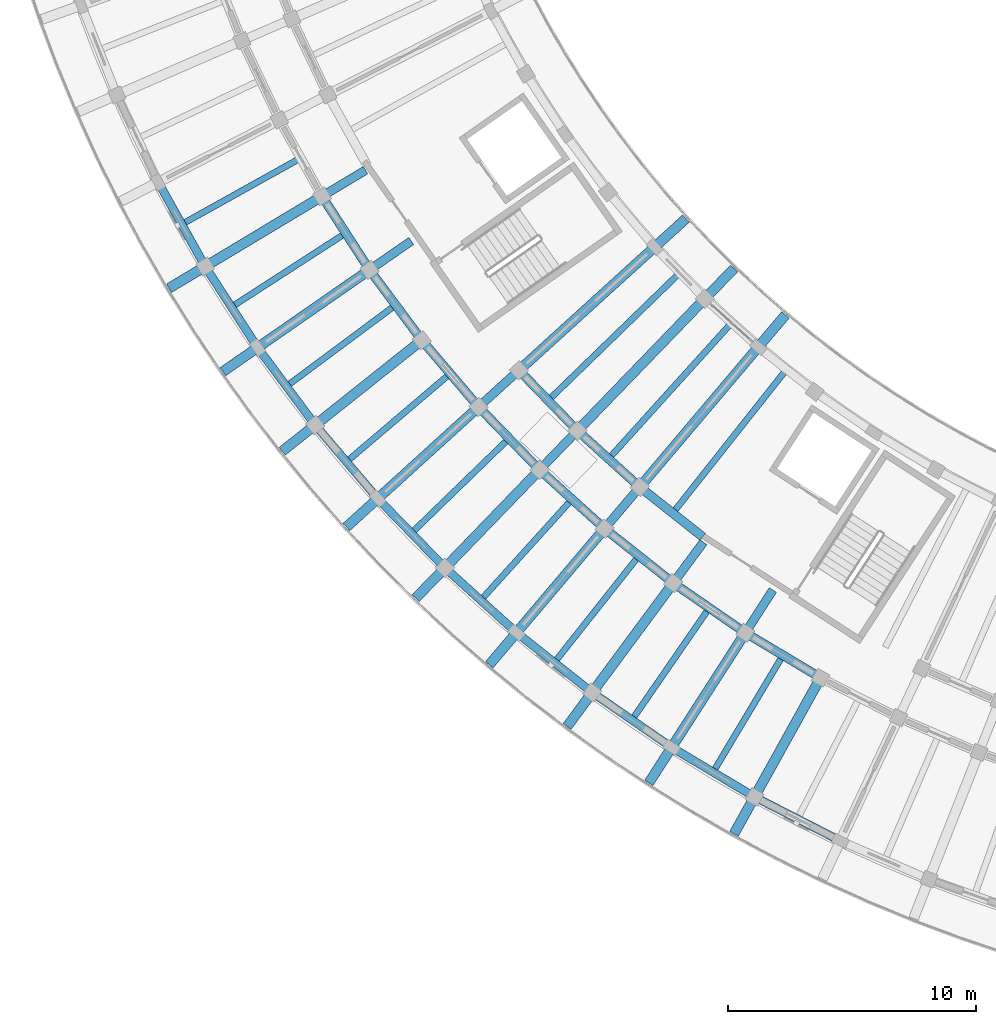
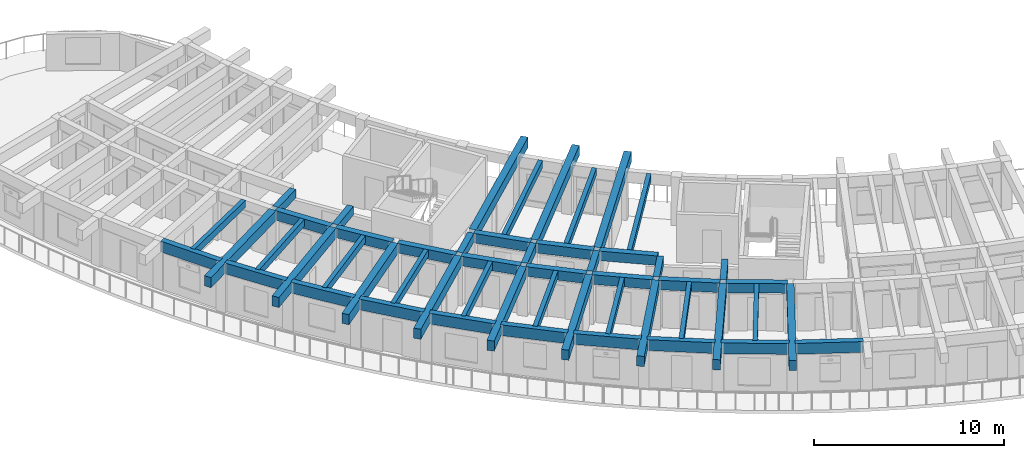
# One storey, part 3 of 69: 52 beams.
"""IFC4 building model written with IfcOpenShell, lengths in metres."""

from ifc_helpers import new_model, si_unit, direction, frame, origin, origin_2d, place, context, subcontext, project, spatial, rectangle, extrude, material, material_profile, profile_set, type_object, element, save


model = new_model("IFC4")

# Units and contexts
model_context = context("Model", 3, precision=1e-05, world=origin(), true_north=direction((0.0, 1.0)))
body_context = subcontext(model_context, "Body", "Model", "MODEL_VIEW")
ifc_project = project(units=[si_unit("LENGTHUNIT", "METRE"), si_unit("AREAUNIT", "SQUARE_METRE"), si_unit("VOLUMEUNIT", "CUBIC_METRE"), si_unit("PLANEANGLEUNIT", "RADIAN"), si_unit("MASSUNIT", "GRAM", prefix="KILO")], contexts=[model_context])

# Site, building, storey
site_placement = place(None, origin())
site = spatial("IfcSite", under=ifc_project, at=site_placement, CompositionType="ELEMENT")
building_placement = place(site_placement, origin())
building = spatial("IfcBuilding", under=site, at=building_placement, Name="Tanwirah Colonnade Gardens", CompositionType="ELEMENT")
storey_placement = place(building_placement, frame((0.0, 0.0, 15.56005859375)))
storey = spatial("IfcBuildingStorey", under=building, at=storey_placement, Name="L04", CompositionType="ELEMENT", Elevation=15.56005859375)

# Beams
ifc_material_1 = material(Name="Precast concrete C40/50", Category="concrete")
ifc_material_profile_1 = material_profile(ifc_material_1, rectangle(XDim=0.360107421875, YDim=0.610107421875, at=origin_2d()), Name="PC-BM 360x610")
ifc_profile_set_1 = profile_set([ifc_material_profile_1], Name="Precast concrete C40/50")
beam_type_1 = type_object("IfcBeamType", Name="BM-PC300", PredefinedType="BEAM", material=ifc_profile_set_1)
beam_1_placement = place(storey_placement, frame((18.75146484375, 36.5361328125, 2.804931640625), z_axis=(0.542825891173, -0.839845254718, 0.0), x_axis=(0.839845254718, 0.542825891173, 0.0)))
element("IfcBeam", 1, at=beam_1_placement, inside=storey, type_object=beam_type_1, Name="Block C L04 Circumferential Beam 4-R2", PredefinedType="BEAM", context=body_context, shape_type="SweptSolid", body=[
    extrude(rectangle(XDim=0.360107421875, YDim=0.610107421875, at=origin_2d()), origin(), (0.0, 0.0, 1.0), 3.23681640625),
])
beam_2_placement = place(storey_placement, frame((20.679443359375, 33.5712890625, 2.804931640625), z_axis=(0.596579473879, -0.802554005252, 0.0), x_axis=(0.802554005252, 0.596579473879, 0.0)))
element("IfcBeam", 2, at=beam_2_placement, inside=storey, type_object=beam_type_1, Name="Block C L04 Circumferential Beam 5-R2", PredefinedType="BEAM", context=body_context, shape_type="SweptSolid", body=[
    extrude(rectangle(XDim=0.360107421875, YDim=0.610107421875, at=origin_2d()), origin(), (0.0, 0.0, 1.0), 3.237060546875),
])
beam_3_placement = place(storey_placement, frame((22.797119140625, 30.73876953125, 2.804931640625), z_axis=(0.6478235549, -0.761790418499, 0.0), x_axis=(0.761790418499, 0.6478235549, 0.0)))
element("IfcBeam", 3, at=beam_3_placement, inside=storey, type_object=beam_type_1, Name="Block C L04 Circumferential Beam 6-R2", PredefinedType="BEAM", context=body_context, shape_type="SweptSolid", body=[
    extrude(rectangle(XDim=0.360107421875, YDim=0.610107421875, at=origin_2d()), origin(), (0.0, 0.0, 1.0), 3.23681640625),
])
beam_4_placement = place(storey_placement, frame((26.72412109375, 29.530029296875, 2.804931640625), z_axis=(0.696209937932, -0.71783822852, 0.0), x_axis=(0.71783822852, 0.696209937932, 0.0)))
element("IfcBeam", 4, at=beam_4_placement, inside=storey, type_object=beam_type_1, Name="Block C L04 Circumferential Beam 7-R1", PredefinedType="BEAM", context=body_context, shape_type="SweptSolid", body=[
    extrude(rectangle(XDim=0.360107421875, YDim=0.610107421875, at=origin_2d()), origin(), (0.0, 0.0, 1.0), 3.093017578125),
])
beam_5_placement = place(storey_placement, frame((25.095703125, 28.05078125, 2.804931640625), z_axis=(0.696238887656, -0.717810149911, 0.0), x_axis=(0.717810149911, 0.696238887656, 0.0)))
element("IfcBeam", 5, at=beam_5_placement, inside=storey, type_object=beam_type_1, Name="Block C L04 Circumferential Beam 7-R2", PredefinedType="BEAM", context=body_context, shape_type="SweptSolid", body=[
    extrude(rectangle(XDim=0.360107421875, YDim=0.610107421875, at=origin_2d()), origin(), (0.0, 0.0, 1.0), 3.23681640625),
])
beam_6_placement = place(storey_placement, frame((29.09326171875, 27.1015625, 2.804931640625), z_axis=(0.741698455559, -0.670733479873, 0.0), x_axis=(0.670733479873, 0.741698455559, 0.0)))
element("IfcBeam", 6, at=beam_6_placement, inside=storey, type_object=beam_type_1, Name="Block C L04 Circumferential Beam 8-R1", PredefinedType="BEAM", context=body_context, shape_type="SweptSolid", body=[
    extrude(rectangle(XDim=0.360107421875, YDim=0.610107421875, at=origin_2d()), origin(), (0.0, 0.0, 1.0), 3.0927734375),
])
beam_7_placement = place(storey_placement, frame((27.56494140625, 25.51904296875, 2.804931640625), z_axis=(0.741701929733, -0.670729638104, 0.0), x_axis=(0.670729638104, 0.741701929733, 0.0)))
element("IfcBeam", 7, at=beam_7_placement, inside=storey, type_object=beam_type_1, Name="Block C L04 Circumferential Beam 8-R2", PredefinedType="BEAM", context=body_context, shape_type="SweptSolid", body=[
    extrude(rectangle(XDim=0.360107421875, YDim=0.610107421875, at=origin_2d()), origin(), (0.0, 0.0, 1.0), 3.237060546875),
])
beam_8_placement = place(storey_placement, frame((31.615966796875, 24.833251953125, 2.804931640625), z_axis=(0.783962588163, -0.62080807047, 0.0), x_axis=(0.62080807047, 0.783962588163, 0.0)))
element("IfcBeam", 8, at=beam_8_placement, inside=storey, type_object=beam_type_1, Name="Block C L04 Circumferential Beam 9-R1", PredefinedType="BEAM", context=body_context, shape_type="SweptSolid", body=[
    extrude(rectangle(XDim=0.360107421875, YDim=0.610107421875, at=origin_2d()), origin(), (0.0, 0.0, 1.0), 3.093017578125),
])
beam_9_placement = place(storey_placement, frame((30.194580078125, 23.154052734375, 2.804931640625), z_axis=(0.783993819374, -0.620768629349, 0.0), x_axis=(0.620768629349, 0.783993819374, 0.0)))
element("IfcBeam", 9, at=beam_9_placement, inside=storey, type_object=beam_type_1, Name="Block C L04 Circumferential Beam 9-R2", PredefinedType="BEAM", context=body_context, shape_type="SweptSolid", body=[
    extrude(rectangle(XDim=0.360107421875, YDim=0.610107421875, at=origin_2d()), origin(), (0.0, 0.0, 1.0), 3.23681640625),
])
beam_10_placement = place(storey_placement, frame((32.97314453125, 20.96630859375, 2.804931640625), z_axis=(0.822889344221, -0.568201660651, 0.0), x_axis=(0.568201660651, 0.822889344221, 0.0)))
element("IfcBeam", 10, at=beam_10_placement, inside=storey, type_object=beam_type_1, Name="Block C L04 Circumferential Beam 10-R2", PredefinedType="BEAM", context=body_context, shape_type="SweptSolid", body=[
    extrude(rectangle(XDim=0.360107421875, YDim=0.610107421875, at=origin_2d()), origin(), (0.0, 0.0, 1.0), 3.237060546875),
])
beam_11_placement = place(storey_placement, frame((35.88916015625, 18.96484375, 2.804931640625), z_axis=(0.858270604513, -0.513197398111, 0.0), x_axis=(0.513197398111, 0.858270604513, 0.0)))
element("IfcBeam", 11, at=beam_11_placement, inside=storey, type_object=beam_type_1, Name="Block C L04 Circumferential Beam 11-R2", PredefinedType="BEAM", context=body_context, shape_type="SweptSolid", body=[
    extrude(rectangle(XDim=0.360107421875, YDim=0.610107421875, at=origin_2d()), origin(), (0.0, 0.0, 1.0), 3.23681640625),
])
ifc_material_profile_2 = material_profile(ifc_material_1, rectangle(XDim=0.35009765625, YDim=0.550048828125, at=origin_2d()), Name="PC-BM 350x550")
ifc_profile_set_2 = profile_set([ifc_material_profile_2], Name="Precast concrete C40/50")
beam_type_2 = type_object("IfcBeamType", Name="BM-PC350A", PredefinedType="BEAM", material=ifc_profile_set_2)
beam_12_placement = place(storey_placement, frame((20.42724609375, 37.718017578125, 2.8349609375), z_axis=(-0.857186654737, -0.515005863017, 0.0), x_axis=(0.515005863017, -0.857186654737, 0.0)))
element("IfcBeam", 12, at=beam_12_placement, inside=storey, type_object=beam_type_2, Name="Block C L04 Corridor Tie Beam 4", PredefinedType="BEAM", context=body_context, shape_type="SweptSolid", body=[
    extrude(rectangle(XDim=0.35009765625, YDim=0.550048828125, at=origin_2d()), origin(), (0.0, 0.0, 1.0), 1.89990234375),
])
beam_13_placement = place(storey_placement, frame((22.2744140625, 34.860107421875, 2.8349609375), z_axis=(-0.821669163201, -0.569964723684, 0.0), x_axis=(0.569964723684, -0.821669163201, 0.0)))
element("IfcBeam", 13, at=beam_13_placement, inside=storey, type_object=beam_type_2, Name="Block C L04 Corridor Tie Beam 5", PredefinedType="BEAM", context=body_context, shape_type="SweptSolid", body=[
    extrude(rectangle(XDim=0.35009765625, YDim=0.550048828125, at=origin_2d()), origin(), (0.0, 0.0, 1.0), 1.900146484375),
])
beam_14_placement = place(storey_placement, frame((26.508544921875, 29.536865234375, 2.8349609375), z_axis=(-0.740219127015, -0.672365707038, 0.0), x_axis=(0.672365707038, -0.740219127015, 0.0)))
element("IfcBeam", 14, at=beam_14_placement, inside=storey, type_object=beam_type_2, Name="Block C L04 Corridor Tie Beam 7", PredefinedType="BEAM", context=body_context, shape_type="SweptSolid", body=[
    extrude(rectangle(XDim=0.35009765625, YDim=0.550048828125, at=origin_2d()), origin(), (0.0, 0.0, 1.0), 1.899658203125),
])
beam_15_placement = place(storey_placement, frame((28.877685546875, 27.09423828125, 2.8349609375), z_axis=(-0.694663306685, -0.719335033448, 0.0), x_axis=(0.719335033448, -0.694663306685, 0.0)))
element("IfcBeam", 15, at=beam_15_placement, inside=storey, type_object=beam_type_2, Name="Block C L04 Corridor Tie Beam 8", PredefinedType="BEAM", context=body_context, shape_type="SweptSolid", body=[
    extrude(rectangle(XDim=0.35009765625, YDim=0.550048828125, at=origin_2d()), origin(), (0.0, 0.0, 1.0), 1.89990234375),
])
for number, where, z_axis, x_axis, name in (
    (16, (31.401611328125, 24.81201171875, 2.8349609375), (-0.646155325581, -0.763205932382, 0.0), (0.763205932382, -0.646155325581, 0.0), "Block C L04 Corridor Tie Beam 9"),
    (17, (34.0693359375, 22.699462890625, 2.8349609375), (-0.594889497099, -0.803807493273, 0.0), (0.803807493273, -0.594889497099, 0.0), "Block C L04 Corridor Tie Beam 10"),
):
    element("IfcBeam", number, at=place(storey_placement, frame(where, z_axis=z_axis, x_axis=x_axis)), inside=storey, type_object=beam_type_2, Name=name, PredefinedType="BEAM", context=body_context, shape_type="SweptSolid", body=[
        extrude(rectangle(XDim=0.35009765625, YDim=0.550048828125, at=origin_2d()), origin(), (0.0, 0.0, 1.0), 1.900146484375),
    ])
beam_16_placement = place(storey_placement, frame((36.869384765625, 20.765869140625, 2.8349609375), z_axis=(-0.540984881989, -0.841032316537, 0.0), x_axis=(0.841032316537, -0.540984881989, 0.0)))
element("IfcBeam", 18, at=beam_16_placement, inside=storey, type_object=beam_type_2, Name="Block C L04 Corridor Tie Beam 11", PredefinedType="BEAM", context=body_context, shape_type="SweptSolid", body=[
    extrude(rectangle(XDim=0.35009765625, YDim=0.550048828125, at=origin_2d()), origin(), (0.0, 0.0, 1.0), 1.89990234375),
])
ifc_material_2 = material(Name="Precast concrete C45/55", Category="concrete")
ifc_material_profile_3 = material_profile(ifc_material_2, rectangle(XDim=0.39990234375, YDim=0.64990234375, at=origin_2d()), Name="PC-BM 400x650")
ifc_profile_set_3 = profile_set([ifc_material_profile_3], Name="Precast concrete C45/55")
beam_type_3 = type_object("IfcBeamType", Name="BM-PC400", PredefinedType="BEAM", material=ifc_profile_set_3)
for number, where, z_axis, x_axis, name in (
    (19, (18.54150390625, 36.5849609375, 2.784912109375), (-0.857159687729, -0.515050744812, 0.0), (0.515050744812, -0.857159687729, 0.0), "Block C L04 Outer Radial Precast Girder 4"),
    (20, (20.466796875, 33.606201171875, 2.784912109375), (-0.821647028495, -0.569996632066, 0.0), (0.569996632066, -0.821647028495, 0.0), "Block C L04 Outer Radial Precast Girder 5"),
):
    element("IfcBeam", number, at=place(storey_placement, frame(where, z_axis=z_axis, x_axis=x_axis)), inside=storey, type_object=beam_type_3, Name=name, PredefinedType="BEAM", context=body_context, shape_type="SweptSolid", body=[
        extrude(rectangle(XDim=0.39990234375, YDim=0.64990234375, at=origin_2d()), origin(), (0.0, 0.0, 1.0), 7.050048828125),
    ])
beam_17_placement = place(storey_placement, frame((22.58251953125, 30.759765625, 2.784912109375), z_axis=(-0.782609106384, -0.622513442911, 0.0), x_axis=(0.622513442911, -0.782609106384, 0.0)))
element("IfcBeam", 21, at=beam_17_placement, inside=storey, type_object=beam_type_3, Name="Block C L04 Outer Radial Precast Girder 6", PredefinedType="BEAM", context=body_context, shape_type="SweptSolid", body=[
    extrude(rectangle(XDim=0.39990234375, YDim=0.64990234375, at=origin_2d()), origin(), (0.0, 0.0, 1.0), 7.0498046875),
])
beam_18_placement = place(storey_placement, frame((26.730712890625, 29.738525390625, 2.784912109375), z_axis=(0.740212791446, 0.672372681911, 0.0), x_axis=(-0.672372681911, 0.740212791446, 0.0)))
element("IfcBeam", 22, at=beam_18_placement, inside=storey, type_object=beam_type_3, Name="Block C L04 Inner Radial Precast Girder 7", PredefinedType="BEAM", context=body_context, shape_type="SweptSolid", body=[
    extrude(rectangle(XDim=0.39990234375, YDim=0.64990234375, at=origin_2d()), origin(), (0.0, 0.0, 1.0), 8.9501953125),
])
beam_19_placement = place(storey_placement, frame((24.880126953125, 28.0576171875, 2.784912109375), z_axis=(-0.740229899169, -0.672353847596, 0.0), x_axis=(0.672353847596, -0.740229899169, 0.0)))
element("IfcBeam", 23, at=beam_19_placement, inside=storey, type_object=beam_type_3, Name="Block C L04 Outer Radial Precast Girder 7", PredefinedType="BEAM", context=body_context, shape_type="SweptSolid", body=[
    extrude(rectangle(XDim=0.39990234375, YDim=0.64990234375, at=origin_2d()), origin(), (0.0, 0.0, 1.0), 7.0498046875),
])
beam_20_placement = place(storey_placement, frame((29.086181640625, 27.31005859375, 2.784912109375), z_axis=(0.694655848402, 0.719342235852, 0.0), x_axis=(-0.719342235852, 0.694655848402, 0.0)))
element("IfcBeam", 24, at=beam_20_placement, inside=storey, type_object=beam_type_3, Name="Block C L04 Inner Radial Precast Girder 8", PredefinedType="BEAM", context=body_context, shape_type="SweptSolid", body=[
    extrude(rectangle(XDim=0.39990234375, YDim=0.64990234375, at=origin_2d()), origin(), (0.0, 0.0, 1.0), 8.9501953125),
])
beam_21_placement = place(storey_placement, frame((27.349609375, 25.51171875, 2.784912109375), z_axis=(-0.69467114255, -0.719327466254, 0.0), x_axis=(0.719327466254, -0.69467114255, 0.0)))
element("IfcBeam", 25, at=beam_21_placement, inside=storey, type_object=beam_type_3, Name="Block C L04 Outer Radial Precast Girder 8", PredefinedType="BEAM", context=body_context, shape_type="SweptSolid", body=[
    extrude(rectangle(XDim=0.39990234375, YDim=0.64990234375, at=origin_2d()), origin(), (0.0, 0.0, 1.0), 7.050048828125),
])
beam_22_placement = place(storey_placement, frame((31.595458984375, 25.040771484375, 2.784912109375), z_axis=(0.64611097415, 0.763243479554, 0.0), x_axis=(-0.763243479554, 0.64611097415, 0.0)))
element("IfcBeam", 26, at=beam_22_placement, inside=storey, type_object=beam_type_3, Name="Block C L04 Inner Radial Precast Girder 9", PredefinedType="BEAM", context=body_context, shape_type="SweptSolid", body=[
    extrude(rectangle(XDim=0.39990234375, YDim=0.64990234375, at=origin_2d()), origin(), (0.0, 0.0, 1.0), 8.949951171875),
])
for number, where, z_axis, x_axis, name in (
    (27, (29.97998046875, 23.1328125, 2.784912109375), (-0.646119193339, -0.763236521663, 0.0), (0.763236521663, -0.646119193339, 0.0), "Block C L04 Outer Radial Precast Girder 9"),
    (28, (32.760498046875, 20.930908203125, 2.784912109375), (-0.594806754627, -0.803868723518, 0.0), (0.803868723518, -0.594806754627, 0.0), "Block C L04 Outer Radial Precast Girder 10"),
    (29, (35.67919921875, 18.915771484375, 2.784912109375), (-0.540976349149, -0.841037805132, 0.0), (0.841037805132, -0.540976349149, 0.0), "Block C L04 Outer Radial Precast Girder 11"),
):
    element("IfcBeam", number, at=place(storey_placement, frame(where, z_axis=z_axis, x_axis=x_axis)), inside=storey, type_object=beam_type_3, Name=name, PredefinedType="BEAM", context=body_context, shape_type="SweptSolid", body=[
        extrude(rectangle(XDim=0.39990234375, YDim=0.64990234375, at=origin_2d()), origin(), (0.0, 0.0, 1.0), 7.050048828125),
    ])
beam_23_placement = place(storey_placement, frame((38.723388671875, 17.095703125, 2.784912109375), z_axis=(-0.484804753745, -0.874622404667, 0.0), x_axis=(0.874622404667, -0.484804753745, 0.0)))
element("IfcBeam", 30, at=beam_23_placement, inside=storey, type_object=beam_type_3, Name="Block C L04 Outer Radial Precast Girder 12", PredefinedType="BEAM", context=body_context, shape_type="SweptSolid", body=[
    extrude(rectangle(XDim=0.39990234375, YDim=0.64990234375, at=origin_2d()), origin(), (0.0, 0.0, 1.0), 7.05029296875),
])
ifc_material_profile_4 = material_profile(ifc_material_1, rectangle(XDim=0.25, YDim=0.449951171875, at=origin_2d()), Name="PC-JST 250x450")
ifc_profile_set_4 = profile_set([ifc_material_profile_4], Name="Precast concrete C40/50")
beam_type_4 = type_object("IfcBeamType", Name="JST-PC250", PredefinedType="JOIST", material=ifc_profile_set_4)
for number, where, z_axis, x_axis, name in (
    (31, (17.67919921875, 38.134521484375, 2.885009765625), (-0.87356769437, -0.486702664214, 0.0), (0.486702664214, -0.87356769437, 0.0), "Block C L04 Precast Floor Joist 3"),
    (32, (19.5048828125, 35.09619140625, 2.885009765625), (-0.839842770955, -0.542829733963, 0.0), (0.542829733963, -0.839842770955, 0.0), "Block C L04 Precast Floor Joist 4"),
    (33, (21.525390625, 32.18359375, 2.885009765625), (-0.802560347737, -0.596570941499, 0.0), (0.596570941499, -0.802560347737, 0.0), "Block C L04 Precast Floor Joist 5"),
    (34, (23.732177734375, 29.409423828125, 2.885009765625), (-0.761803021124, -0.647808734895, 0.0), (0.647808734895, -0.761803021124, 0.0), "Block C L04 Precast Floor Joist 6"),
    (35, (26.115478515625, 26.785400390625, 2.885009765625), (-0.717816036263, -0.696232818878, 0.0), (0.696232818878, -0.717816036263, 0.0), "Block C L04 Precast Floor Joist 7"),
):
    element("IfcBeam", number, at=place(storey_placement, frame(where, z_axis=z_axis, x_axis=x_axis)), inside=storey, type_object=beam_type_4, Name=name, PredefinedType="JOIST", context=body_context, shape_type="SweptSolid", body=[
        extrude(rectangle(XDim=0.25, YDim=0.449951171875, at=origin_2d()), origin(), (0.0, 0.0, 1.0), 5.260009765625),
    ])
beam_24_placement = place(storey_placement, frame((33.006591796875, 33.46923828125, 2.885009765625), z_axis=(-0.717816218075, -0.69623263143, 0.0), x_axis=(0.69623263143, -0.717816218075, 0.0)))
element("IfcBeam", 36, at=beam_24_placement, inside=storey, type_object=beam_type_4, Name="Block C L04 Inner Precast Floor Joist 7", PredefinedType="JOIST", context=body_context, shape_type="SweptSolid", body=[
    extrude(rectangle(XDim=0.25, YDim=0.449951171875, at=origin_2d()), origin(), (0.0, 0.0, 1.0), 7.16015625),
])
beam_25_placement = place(storey_placement, frame((28.66552734375, 24.322998046875, 2.885009765625), z_axis=(-0.670780841255, -0.741655622918, 0.0), x_axis=(0.741655622918, -0.670780841255, 0.0)))
element("IfcBeam", 37, at=beam_25_placement, inside=storey, type_object=beam_type_4, Name="Block C L04 Precast Floor Joist 8", PredefinedType="JOIST", context=body_context, shape_type="SweptSolid", body=[
    extrude(rectangle(XDim=0.25, YDim=0.449951171875, at=origin_2d()), origin(), (0.0, 0.0, 1.0), 5.260009765625),
])
beam_26_placement = place(storey_placement, frame((35.104736328125, 31.443115234375, 2.885009765625), z_axis=(-0.670773136608, -0.741662591214, 0.0), x_axis=(0.741662591214, -0.670773136608, 0.0)))
element("IfcBeam", 38, at=beam_26_placement, inside=storey, type_object=beam_type_4, Name="Block C L04 Inner Precast Floor Joist 8", PredefinedType="JOIST", context=body_context, shape_type="SweptSolid", body=[
    extrude(rectangle(XDim=0.25, YDim=0.449951171875, at=origin_2d()), origin(), (0.0, 0.0, 1.0), 7.159912109375),
])
beam_27_placement = place(storey_placement, frame((31.370849609375, 22.03271484375, 2.885009765625), z_axis=(-0.620787347885, -0.783978997617, 0.0), x_axis=(0.783978997617, -0.620787347885, 0.0)))
element("IfcBeam", 39, at=beam_27_placement, inside=storey, type_object=beam_type_4, Name="Block C L04 Precast Floor Joist 9", PredefinedType="JOIST", context=body_context, shape_type="SweptSolid", body=[
    extrude(rectangle(XDim=0.25, YDim=0.449951171875, at=origin_2d()), origin(), (0.0, 0.0, 1.0), 5.260009765625),
])
beam_28_placement = place(storey_placement, frame((37.33056640625, 29.55859375, 2.885009765625), z_axis=(-0.620803379809, -0.783966302603, 0.0), x_axis=(0.783966302603, -0.620803379809, 0.0)))
element("IfcBeam", 40, at=beam_28_placement, inside=storey, type_object=beam_type_4, Name="Block C L04 Inner Precast Floor Joist 9", PredefinedType="JOIST", context=body_context, shape_type="SweptSolid", body=[
    extrude(rectangle(XDim=0.25, YDim=0.449951171875, at=origin_2d()), origin(), (0.0, 0.0, 1.0), 7.159912109375),
])
for number, where, z_axis, x_axis, name in (
    (41, (34.220458984375, 19.924072265625, 2.885009765625), (-0.56820792868, -0.822885016138, 0.0), (0.822885016138, -0.56820792868, 0.0), "Block C L04 Precast Floor Joist 10"),
    (42, (37.20166015625, 18.006591796875, 2.885009765625), (-0.513157303227, -0.858294577721, 0.0), (0.858294577721, -0.513157303227, 0.0), "Block C L04 Precast Floor Joist 11"),
):
    element("IfcBeam", number, at=place(storey_placement, frame(where, z_axis=z_axis, x_axis=x_axis)), inside=storey, type_object=beam_type_4, Name=name, PredefinedType="JOIST", context=body_context, shape_type="SweptSolid", body=[
        extrude(rectangle(XDim=0.25, YDim=0.449951171875, at=origin_2d()), origin(), (0.0, 0.0, 1.0), 5.260009765625),
    ])
ifc_material_profile_5 = material_profile(ifc_material_1, rectangle(XDim=0.330078125, YDim=0.68994140625, at=origin_2d()), Name="PC-SP 330x690")
ifc_profile_set_5 = profile_set([ifc_material_profile_5], Name="Precast concrete C40/50")
beam_type_5 = type_object("IfcBeamType", Name="SP-PC280", PredefinedType="SPANDREL", material=ifc_profile_set_5)
beam_29_placement = place(storey_placement, frame((12.132080078125, 37.1025390625, 2.764892578125), z_axis=(0.486679958674, -0.87358034423, 0.0), x_axis=(0.87358034423, 0.486679958674, 0.0)))
element("IfcBeam", 43, at=beam_29_placement, inside=storey, type_object=beam_type_5, Name="Block C L04 Circumferential Beam 3-R3", PredefinedType="SPANDREL", context=body_context, shape_type="SweptSolid", body=[
    extrude(rectangle(XDim=0.330078125, YDim=0.68994140625, at=origin_2d()), origin(), (0.0, 0.0, 1.0), 3.5966796875),
])
for number, where, z_axis, x_axis, name in (
    (44, (14.037109375, 33.70361328125, 2.764892578125), (0.542786838894, -0.839870494495, 0.0), (0.839870494495, 0.542786838894, 0.0), "Block C L04 Circumferential Beam 4-R3"),
    (45, (16.160400390625, 30.436279296875, 2.764892578125), (0.596562665898, -0.802566499212, 0.0), (0.802566499212, 0.596562665898, 0.0), "Block C L04 Circumferential Beam 5-R3"),
):
    element("IfcBeam", number, at=place(storey_placement, frame(where, z_axis=z_axis, x_axis=x_axis)), inside=storey, type_object=beam_type_5, Name=name, PredefinedType="SPANDREL", context=body_context, shape_type="SweptSolid", body=[
        extrude(rectangle(XDim=0.330078125, YDim=0.68994140625, at=origin_2d()), origin(), (0.0, 0.0, 1.0), 3.596923828125),
    ])
for number, where, z_axis, x_axis, name in (
    (46, (18.492919921875, 27.31494140625, 2.764892578125), (0.647784367984, -0.76182374116, 0.0), (0.76182374116, 0.647784367984, 0.0), "Block C L04 Circumferential Beam 6-R3"),
    (47, (21.0244140625, 24.352783203125, 2.764892578125), (0.696231699401, -0.717817122079, 0.0), (0.717817122079, 0.696231699401, 0.0), "Block C L04 Circumferential Beam 7-R3"),
):
    element("IfcBeam", number, at=place(storey_placement, frame(where, z_axis=z_axis, x_axis=x_axis)), inside=storey, type_object=beam_type_5, Name=name, PredefinedType="SPANDREL", context=body_context, shape_type="SweptSolid", body=[
        extrude(rectangle(XDim=0.330078125, YDim=0.68994140625, at=origin_2d()), origin(), (0.0, 0.0, 1.0), 3.5966796875),
    ])
for number, where, z_axis, x_axis, name in (
    (48, (23.744384765625, 21.562744140625, 2.764892578125), (0.741682092868, -0.670751573325, 0.0), (0.670751573325, 0.741682092868, 0.0), "Block C L04 Circumferential Beam 8-R3"),
    (49, (26.640869140625, 18.956298828125, 2.764892578125), (0.783971495357, -0.620796822211, 0.0), (0.620796822211, 0.783971495357, 0.0), "Block C L04 Circumferential Beam 9-R3"),
    (50, (29.70166015625, 16.545166015625, 2.764892578125), (0.822907478943, -0.568175396423, 0.0), (0.568175396423, 0.822907478943, 0.0), "Block C L04 Circumferential Beam 10-R3"),
):
    element("IfcBeam", number, at=place(storey_placement, frame(where, z_axis=z_axis, x_axis=x_axis)), inside=storey, type_object=beam_type_5, Name=name, PredefinedType="SPANDREL", context=body_context, shape_type="SweptSolid", body=[
        extrude(rectangle(XDim=0.330078125, YDim=0.68994140625, at=origin_2d()), origin(), (0.0, 0.0, 1.0), 3.596923828125),
    ])
for number, where, z_axis, x_axis, name in (
    (51, (32.913818359375, 14.339111328125, 2.764892578125), (0.858282522832, -0.513177465407, 0.0), (0.513177465407, 0.858282522832, 0.0), "Block C L04 Circumferential Beam 11-R3"),
    (52, (36.26318359375, 12.347900390625, 2.764892578125), (0.890013134589, -0.455934885985, 0.0), (0.455934885985, 0.890013134589, 0.0), "Block C L04 Circumferential Beam 12-R3"),
):
    element("IfcBeam", number, at=place(storey_placement, frame(where, z_axis=z_axis, x_axis=x_axis)), inside=storey, type_object=beam_type_5, Name=name, PredefinedType="SPANDREL", context=body_context, shape_type="SweptSolid", body=[
        extrude(rectangle(XDim=0.330078125, YDim=0.68994140625, at=origin_2d()), origin(), (0.0, 0.0, 1.0), 3.5966796875),
    ])

save(model, "model.ifc")
